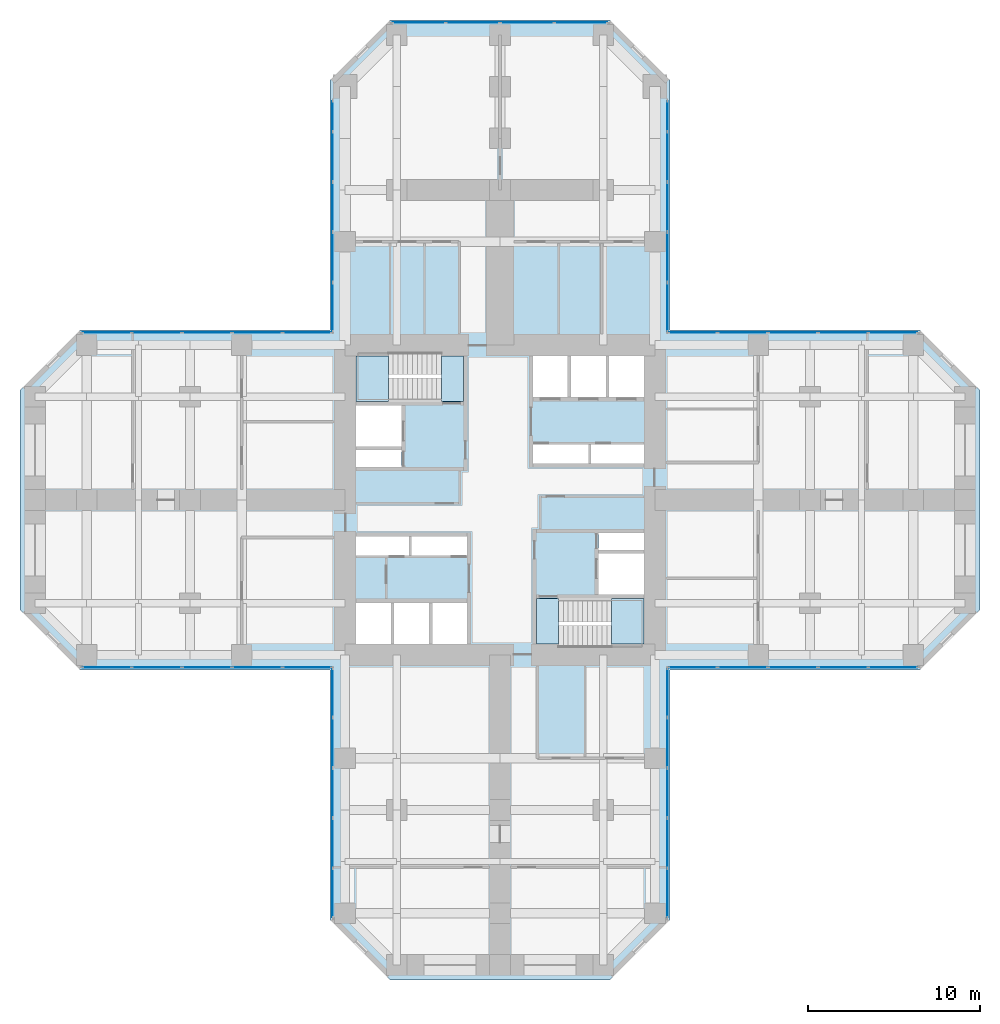
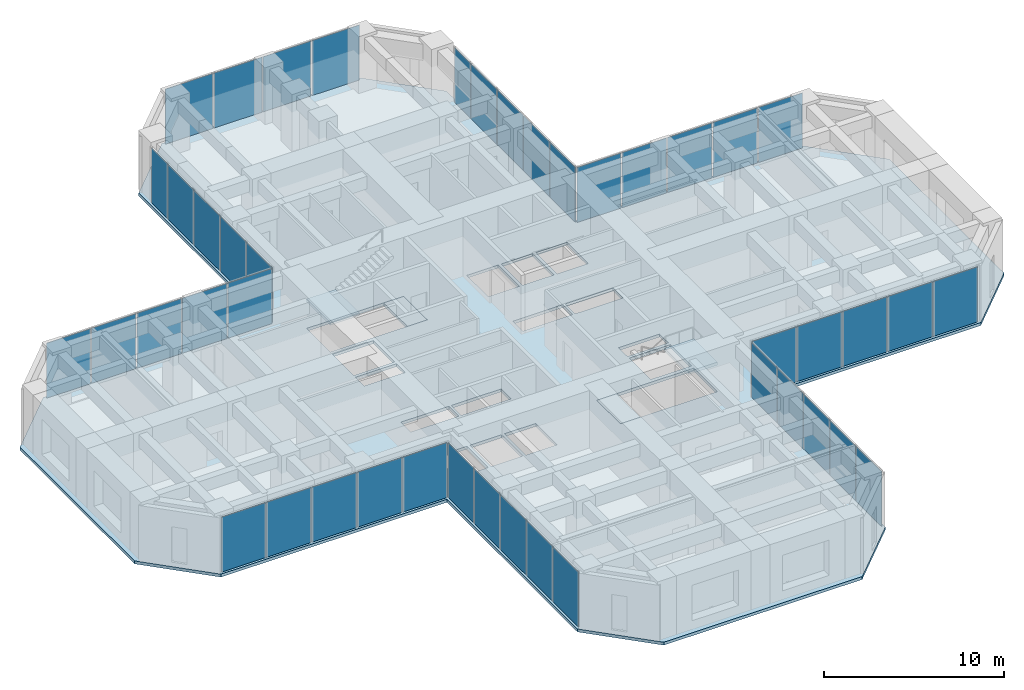
# One storey, part 7 of 12: 44 plates, 5 slabs, 11 elements without a shape of their own.
"""IFC4 building model written with IfcOpenShell, lengths in metres."""

import ifcopenshell
import ifcopenshell.guid

model = None  # the IFC model being written
_history = None  # IfcOwnerHistory: only IFC2X3 demands one
_inside = {}  # id of a spatial element -> (the spatial element, [elements in it])
_under = {}  # id of a project, library or spatial element -> (it, [spatial elements below it])
_declared = {}  # id of a project -> (the project, [libraries it declares])
_typed = {}  # id of a type object -> (the type object, [elements of that type])
_made_of = {}  # id of a material, layer set ... -> (it, [elements and type objects made of it])


def new_model(schema):
    """Start an empty IFC model of exactly this schema.

    Asked for "IFC4X3", IfcOpenShell would pick the latest addendum, in which some entities
    have other attributes; the version numbers below select the first issue.
    IFC2X3 requires an IfcOwnerHistory on every rooted entity: one is made here for all.
    """
    global model, _history
    if schema == "IFC4X3":
        model = ifcopenshell.file(schema_version=(4, 3, 0, 0))
    else:
        model = ifcopenshell.file(schema=schema)
    _inside.clear()
    _under.clear()
    _declared.clear()
    _typed.clear()
    _made_of.clear()
    _history = None
    if model.schema == "IFC2X3":
        org = make("IfcOrganization", Name="unknown")
        user = make(
            "IfcPersonAndOrganization",
            ThePerson=make("IfcPerson", FamilyName="unknown"),
            TheOrganization=org,
        )
        app = make(
            "IfcApplication",
            ApplicationDeveloper=org,
            Version="unknown",
            ApplicationFullName="unknown",
            ApplicationIdentifier="unknown",
        )
        _history = make(
            "IfcOwnerHistory",
            OwningUser=user,
            OwningApplication=app,
            ChangeAction="ADDED",
            CreationDate=0,
        )
    return model


def make(cls, **values):
    """One entity of the class cls with the attributes given. An attribute that is None is left unset."""
    return model.create_entity(
        cls, **{name: value for name, value in values.items() if value is not None}
    )


def rooted(cls, **values):
    """An entity with a GlobalId (a new one), such as an element, a storey or a relation."""
    return make(cls, GlobalId=ifcopenshell.guid.new(), OwnerHistory=_history, **values)


def si_unit(unit_type, name, prefix=None):
    """IfcSIUnit, for example si_unit("LENGTHUNIT", "METRE", prefix="MILLI")."""
    return make("IfcSIUnit", UnitType=unit_type, Prefix=prefix, Name=name)


def assignment(units):
    """IfcUnitAssignment: the units of a project."""
    return None if units is None else make("IfcUnitAssignment", Units=units)


def point(xyz):
    """IfcCartesianPoint."""
    return None if xyz is None else make("IfcCartesianPoint", Coordinates=xyz)


def direction(xyz):
    """IfcDirection."""
    return None if xyz is None else make("IfcDirection", DirectionRatios=xyz)


def frame(location, z_axis=None, x_axis=None):
    """IfcAxis2Placement3D, a coordinate frame: its origin and axes. An axis left out is left unset."""
    return make(
        "IfcAxis2Placement3D",
        Location=point(location),
        Axis=direction(z_axis),
        RefDirection=direction(x_axis),
    )


def frame_2d(location, x_axis=None):
    """IfcAxis2Placement2D, a coordinate frame in the plane: its origin and x axis."""
    return make(
        "IfcAxis2Placement2D", Location=point(location), RefDirection=direction(x_axis)
    )


def origin():
    """The frame at (0, 0, 0) with its axes left unset."""
    return frame((0.0, 0.0, 0.0))


def origin_2d():
    """The frame at (0, 0) in the plane with its x axis left unset."""
    return frame_2d((0.0, 0.0))


def place(relative_to, where):
    """IfcLocalPlacement: puts the frame where relative to a parent placement (None: the world)."""
    return make(
        "IfcLocalPlacement", PlacementRelTo=relative_to, RelativePlacement=where
    )


def context(
    kind, dimensions, precision=None, world=None, true_north=None, identifier=None
):
    """IfcGeometricRepresentationContext, for example the 3D "Model" context."""
    return make(
        "IfcGeometricRepresentationContext",
        ContextIdentifier=identifier,
        ContextType=kind,
        CoordinateSpaceDimension=dimensions,
        Precision=precision,
        WorldCoordinateSystem=world,
        TrueNorth=true_north,
    )


def subcontext(parent, identifier, kind, view, scale=None):
    """IfcGeometricRepresentationSubContext, for example "Body" below "Model"."""
    return make(
        "IfcGeometricRepresentationSubContext",
        ContextIdentifier=identifier,
        ContextType=kind,
        ParentContext=parent,
        TargetScale=scale,
        TargetView=view,
    )


def project(units=None, contexts=None):
    """IfcProject with its units and contexts."""
    return rooted(
        "IfcProject",
        Name="project",
        RepresentationContexts=contexts,
        UnitsInContext=assignment(units),
    )


def spatial(cls, under=None, at=None, **own):
    """A site, building, storey or space (cls), placed at a placement, below another one or the project."""
    s = rooted(cls, ObjectPlacement=at, **own)
    if under is not None:
        _under.setdefault(under.id(), (under, []))[1].append(s)
    return s


def polyline(points):
    """IfcPolyline through the points."""
    return make("IfcPolyline", Points=[point(p) for p in points])


def profile(cls, at=None, kind="AREA", **sizes):
    """A parametric profile (cls). Its sizes go by their IFC names, for example OverallWidth=200.0."""
    return make(cls, ProfileType=kind, Position=at, **sizes)


def rectangle(**sizes):
    """IfcRectangleProfileDef."""
    return profile("IfcRectangleProfileDef", **sizes)


def outline(outer, holes=None, kind="AREA"):
    """IfcArbitraryClosedProfileDef: a profile drawn as a closed curve; with holes, ...WithVoids."""
    if holes is None:
        return make("IfcArbitraryClosedProfileDef", ProfileType=kind, OuterCurve=outer)
    return make(
        "IfcArbitraryProfileDefWithVoids",
        ProfileType=kind,
        OuterCurve=outer,
        InnerCurves=holes,
    )


def extrude(swept, where, along, depth):
    """IfcExtrudedAreaSolid: the profile swept, set in the frame where, extruded along a direction by depth."""
    return make(
        "IfcExtrudedAreaSolid",
        SweptArea=swept,
        Position=where,
        ExtrudedDirection=direction(along),
        Depth=depth,
    )


def shape(context_of_items, identifier, shape_type, items):
    """IfcShapeRepresentation: the items that make up one representation, for example the "Body"."""
    return make(
        "IfcShapeRepresentation",
        ContextOfItems=context_of_items,
        RepresentationIdentifier=identifier,
        RepresentationType=shape_type,
        Items=items,
    )


def material(Name=None, Category=None):
    """IfcMaterial."""
    return make("IfcMaterial", Name=Name, Category=Category)


def layer(
    of_material, thickness, ventilated=None, Name=None, Category=None, Priority=None
):
    """IfcMaterialLayer: one layer of a wall or slab, of a material (None: an air gap)."""
    return make(
        "IfcMaterialLayer",
        Material=of_material,
        LayerThickness=thickness,
        IsVentilated=ventilated,
        Name=Name,
        Category=Category,
        Priority=Priority,
    )


def layer_set(layers, Name=None):
    """IfcMaterialLayerSet."""
    return make("IfcMaterialLayerSet", MaterialLayers=layers, LayerSetName=Name)


def made_of(thing, what):
    """Note that an element or type object is made of a material, layer set ...; save() writes the relation."""
    if what is not None:
        _made_of.setdefault(what.id(), (what, []))[1].append(thing)
    return thing


def type_object(cls, material=None, **own):
    """A type object (cls), such as IfcWallType, which elements share."""
    return made_of(rooted(cls, **own), material)


def element(
    cls,
    number,
    at=None,
    inside=None,
    cuts=None,
    type_object=None,
    material=None,
    context=None,
    identifier="Body",
    shape_type=None,
    held_by="IfcProductDefinitionShape",
    body=None,
    shapes=None,
    **own,
):
    """One element of the class cls, such as IfcWall. Its Tag is "e" and its number.

    at: its placement. inside: the storey or other place that contains it. cuts: it is an
    opening in that element (IfcRelVoidsElement). A single representation is given by context,
    identifier, shape_type and body (its items); several are given by shapes. held_by: the class
    of the entity that holds the representations. save() writes the other relations.
    """
    e = rooted(cls, Tag="e%d" % number, ObjectPlacement=at, **own)
    if body is not None:
        shapes = [shape(context, identifier, shape_type, body)]
    if shapes is not None:
        e.Representation = make(held_by, Representations=shapes)
    if inside is not None:
        _inside.setdefault(inside.id(), (inside, []))[1].append(e)
    if cuts is not None:
        rooted(
            "IfcRelVoidsElement", RelatingBuildingElement=cuts, RelatedOpeningElement=e
        )
    if type_object is not None:
        _typed.setdefault(type_object.id(), (type_object, []))[1].append(e)
    return made_of(e, material)


def aggregate(whole, parts):
    """IfcRelAggregates: a whole, such as a stair, and the parts it consists of."""
    return rooted("IfcRelAggregates", RelatingObject=whole, RelatedObjects=parts)


def save(model, path):
    """Write the relations noted so far, then the file.

    IfcRelAggregates (storeys below a building ...), IfcRelContainedInSpatialStructure (elements
    in a storey), IfcRelDefinesByType, IfcRelAssociatesMaterial and IfcRelDeclares: one each for
    every whole, place, type object, material and project.
    """
    for whole, parts in _under.values():
        aggregate(whole, parts)
    for where, things in _inside.values():
        rooted(
            "IfcRelContainedInSpatialStructure",
            RelatedElements=things,
            RelatingStructure=where,
        )
    for kind, things in _typed.values():
        rooted("IfcRelDefinesByType", RelatedObjects=things, RelatingType=kind)
    for what, things in _made_of.values():
        rooted("IfcRelAssociatesMaterial", RelatedObjects=things, RelatingMaterial=what)
    for by, libraries in _declared.values():
        rooted("IfcRelDeclares", RelatingContext=by, RelatedDefinitions=libraries)
    model.write(path)


model = new_model("IFC4")

# Units and contexts
model_context = context("Model", 3, precision=1e-05, world=origin(), true_north=direction((0.0, 1.0)))
body_context = subcontext(model_context, "Body", "Model", "MODEL_VIEW")
ifc_project = project(units=[si_unit("LENGTHUNIT", "METRE"), si_unit("AREAUNIT", "SQUARE_METRE"), si_unit("VOLUMEUNIT", "CUBIC_METRE"), si_unit("PLANEANGLEUNIT", "RADIAN"), si_unit("MASSUNIT", "GRAM", prefix="KILO")], contexts=[model_context])

# Site, building, storey
site_placement = place(None, origin())
site = spatial("IfcSite", under=ifc_project, at=site_placement, CompositionType="ELEMENT")
building_placement = place(site_placement, origin())
building = spatial("IfcBuilding", under=site, at=building_placement, Name="Torre Cruceta", CompositionType="ELEMENT")
storey_placement = place(building_placement, frame((0.0, 0.0, 83.5)))
storey = spatial("IfcBuildingStorey", under=building, at=storey_placement, Name="L20", CompositionType="ELEMENT", Elevation=83.5)

# Curtain wall, plate
ifc_material_1 = material(Name="Aluminium unitised curtain wall", Category="aluminium")
curtain_wall_type = type_object("IfcCurtainWallType", Name="CURTAIN WALL CW-A OFFICE LOW RISE", PredefinedType="USERDEFINED", material=ifc_material_1)
curtain_wall_1_placement = place(storey_placement, origin())
curtain_wall_1 = element("IfcCurtainWall", 1, at=curtain_wall_1_placement, inside=storey, type_object=curtain_wall_type, Name="CW-A L20 E side 00", ObjectType="UNITISED", PredefinedType="USERDEFINED")
ifc_material_2 = material(Name="Laminated insulating glass unit, diagonal frit 50 %", Category="glass")
ifc_material_3 = material(Name="Laminated insulating glass unit, diagonal frit 50 %", Category="glass")
ifc_layer_1 = layer(ifc_material_3, 0.033935546875)
ifc_layer_set_1 = layer_set([ifc_layer_1], Name="Laminated insulating glass unit, diagonal frit 50 %")
plate_type_1 = type_object("IfcPlateType", Name="CW-A OPERABLE VENT PANEL 34", PredefinedType="CURTAIN_PANEL", material=ifc_layer_set_1)
plate_1_placement = place(storey_placement, frame((17.009033203125, -9.719970703125, 0.010009765625), z_axis=(0.0, 0.0, 1.0), x_axis=(1.0, 0.0, 0.0)))
plate_1 = element("IfcPlate", 2, at=plate_1_placement, type_object=plate_type_1, material=ifc_material_2, Name="CW-A vent 3", PredefinedType="CURTAIN_PANEL", context=body_context, shape_type="SweptSolid", body=[
    extrude(rectangle(XDim=2.8505859375, YDim=0.033935546875, at=origin_2d()), origin(), (0.0, 0.0, 1.0), 3.72509765625),
])

curtain_wall_2_placement = place(storey_placement, origin())
curtain_wall_2 = element("IfcCurtainWall", 3, at=curtain_wall_2_placement, inside=storey, type_object=curtain_wall_type, Name="CW-A L20 E side 04", ObjectType="UNITISED", PredefinedType="USERDEFINED")
plate_2_placement = place(storey_placement, frame((17.009033203125, 9.719970703125, 0.010009765625), z_axis=(0.0, 0.0, 1.0), x_axis=(-1.0, 0.0, 0.0)))
plate_2 = element("IfcPlate", 4, at=plate_2_placement, type_object=plate_type_1, material=ifc_material_2, Name="CW-A vent 3", PredefinedType="CURTAIN_PANEL", context=body_context, shape_type="SweptSolid", body=[
    extrude(rectangle(XDim=2.8505859375, YDim=0.033935546875, at=origin_2d()), origin(), (0.0, 0.0, 1.0), 3.72509765625),
])

curtain_wall_3_placement = place(storey_placement, origin())
curtain_wall_3 = element("IfcCurtainWall", 5, at=curtain_wall_3_placement, inside=storey, type_object=curtain_wall_type, Name="CW-A L20 N side 05", ObjectType="UNITISED", PredefinedType="USERDEFINED")
plate_3_placement = place(storey_placement, frame((9.719970703125, 17.009033203125, 0.010009765625), z_axis=(0.0, 0.0, 1.0), x_axis=(0.0, 1.0, 0.0)))
plate_3 = element("IfcPlate", 6, at=plate_3_placement, type_object=plate_type_1, material=ifc_material_2, Name="CW-A vent 3", PredefinedType="CURTAIN_PANEL", context=body_context, shape_type="SweptSolid", body=[
    extrude(rectangle(XDim=2.8505859375, YDim=0.033935546875, at=origin_2d()), origin(), (0.0, 0.0, 1.0), 3.72509765625),
])

curtain_wall_4_placement = place(storey_placement, origin())
curtain_wall_4 = element("IfcCurtainWall", 7, at=curtain_wall_4_placement, inside=storey, type_object=curtain_wall_type, Name="CW-A L20 N tip 07", ObjectType="UNITISED", PredefinedType="USERDEFINED")
plate_4_placement = place(storey_placement, frame((-1.574462890625, 27.719970703125, 0.010009765625), z_axis=(0.0, 0.0, 1.0), x_axis=(-1.0, 0.0, 0.0)))
plate_4 = element("IfcPlate", 8, at=plate_4_placement, type_object=plate_type_1, material=ifc_material_2, Name="CW-A vent 3", PredefinedType="CURTAIN_PANEL", context=body_context, shape_type="SweptSolid", body=[
    extrude(rectangle(XDim=3.084228515625, YDim=0.033935546875, at=origin_2d()), origin(), (0.0, 0.0, 1.0), 3.72509765625),
])

curtain_wall_5_placement = place(storey_placement, origin())
curtain_wall_5 = element("IfcCurtainWall", 9, at=curtain_wall_5_placement, inside=storey, type_object=curtain_wall_type, Name="CW-A L20 N side 09", ObjectType="UNITISED", PredefinedType="USERDEFINED")
plate_5_placement = place(storey_placement, frame((-9.719970703125, 17.009033203125, 0.010009765625), z_axis=(0.0, 0.0, 1.0), x_axis=(0.0, -1.0, 0.0)))
plate_5 = element("IfcPlate", 10, at=plate_5_placement, type_object=plate_type_1, material=ifc_material_2, Name="CW-A vent 3", PredefinedType="CURTAIN_PANEL", context=body_context, shape_type="SweptSolid", body=[
    extrude(rectangle(XDim=2.8505859375, YDim=0.033935546875, at=origin_2d()), origin(), (0.0, 0.0, 1.0), 3.72509765625),
])

curtain_wall_6_placement = place(storey_placement, origin())
curtain_wall_6 = element("IfcCurtainWall", 11, at=curtain_wall_6_placement, inside=storey, type_object=curtain_wall_type, Name="CW-A L20 W side 10", ObjectType="UNITISED", PredefinedType="USERDEFINED")
plate_6_placement = place(storey_placement, frame((-17.009033203125, 9.719970703125, 0.010009765625), z_axis=(0.0, 0.0, 1.0), x_axis=(-1.0, 0.0, 0.0)))
plate_6 = element("IfcPlate", 12, at=plate_6_placement, type_object=plate_type_1, material=ifc_material_2, Name="CW-A vent 3", PredefinedType="CURTAIN_PANEL", context=body_context, shape_type="SweptSolid", body=[
    extrude(rectangle(XDim=2.8505859375, YDim=0.033935546875, at=origin_2d()), origin(), (0.0, 0.0, 1.0), 3.72509765625),
])

curtain_wall_7_placement = place(storey_placement, origin())
curtain_wall_7 = element("IfcCurtainWall", 13, at=curtain_wall_7_placement, inside=storey, type_object=curtain_wall_type, Name="CW-A L20 W side 14", ObjectType="UNITISED", PredefinedType="USERDEFINED")
plate_7_placement = place(storey_placement, frame((-17.009033203125, -9.719970703125, 0.010009765625), z_axis=(0.0, 0.0, 1.0), x_axis=(1.0, 0.0, 0.0)))
plate_7 = element("IfcPlate", 14, at=plate_7_placement, type_object=plate_type_1, material=ifc_material_2, Name="CW-A vent 3", PredefinedType="CURTAIN_PANEL", context=body_context, shape_type="SweptSolid", body=[
    extrude(rectangle(XDim=2.8505859375, YDim=0.033935546875, at=origin_2d()), origin(), (0.0, 0.0, 1.0), 3.72509765625),
])

curtain_wall_8_placement = place(storey_placement, origin())
curtain_wall_8 = element("IfcCurtainWall", 15, at=curtain_wall_8_placement, inside=storey, type_object=curtain_wall_type, Name="CW-A L20 S side 15", ObjectType="UNITISED", PredefinedType="USERDEFINED")
plate_8_placement = place(storey_placement, frame((-9.719970703125, -17.009033203125, 0.010009765625), z_axis=(0.0, 0.0, 1.0), x_axis=(0.0, -1.0, 0.0)))
plate_8 = element("IfcPlate", 16, at=plate_8_placement, type_object=plate_type_1, material=ifc_material_2, Name="CW-A vent 3", PredefinedType="CURTAIN_PANEL", context=body_context, shape_type="SweptSolid", body=[
    extrude(rectangle(XDim=2.8505859375, YDim=0.033935546875, at=origin_2d()), origin(), (0.0, 0.0, 1.0), 3.72509765625),
])

curtain_wall_9_placement = place(storey_placement, origin())
curtain_wall_9 = element("IfcCurtainWall", 17, at=curtain_wall_9_placement, inside=storey, type_object=curtain_wall_type, Name="CW-A L20 S side 19", ObjectType="UNITISED", PredefinedType="USERDEFINED")
plate_9_placement = place(storey_placement, frame((9.719970703125, -17.009033203125, 0.010009765625), z_axis=(0.0, 0.0, 1.0), x_axis=(0.0, 1.0, 0.0)))
plate_9 = element("IfcPlate", 18, at=plate_9_placement, type_object=plate_type_1, material=ifc_material_2, Name="CW-A vent 3", PredefinedType="CURTAIN_PANEL", context=body_context, shape_type="SweptSolid", body=[
    extrude(rectangle(XDim=2.8505859375, YDim=0.033935546875, at=origin_2d()), origin(), (0.0, 0.0, 1.0), 3.72509765625),
])

# Plate
ifc_material_4 = material(Name="Laminated insulating glass unit, diagonal frit 50 %", Category="glass")
ifc_layer_2 = layer(ifc_material_4, 0.033935546875)
ifc_layer_set_2 = layer_set([ifc_layer_2], Name="Laminated insulating glass unit, diagonal frit 50 %")
plate_type_2 = type_object("IfcPlateType", Name="CW-A PANEL 34", PredefinedType="CURTAIN_PANEL", material=ifc_layer_set_2)
plate_10_placement = place(storey_placement, frame((11.194091796875, -9.719970703125, 0.010009765625), z_axis=(0.0, 0.0, 1.0), x_axis=(1.0, 0.0, 0.0)))
plate_10 = element("IfcPlate", 19, at=plate_10_placement, type_object=plate_type_2, material=ifc_material_2, Name="CW-A panel 1", PredefinedType="CURTAIN_PANEL", context=body_context, shape_type="SweptSolid", body=[
    extrude(rectangle(XDim=2.818115234375, YDim=0.033935546875, at=origin_2d()), origin(), (0.0, 0.0, 1.0), 3.72509765625),
])

plate_11_placement = place(storey_placement, frame((14.093505859375, -9.719970703125, 0.010009765625), z_axis=(0.0, 0.0, 1.0), x_axis=(1.0, 0.0, 0.0)))
plate_11 = element("IfcPlate", 20, at=plate_11_placement, type_object=plate_type_2, material=ifc_material_2, Name="CW-A panel 2", PredefinedType="CURTAIN_PANEL", context=body_context, shape_type="SweptSolid", body=[
    extrude(rectangle(XDim=2.8505859375, YDim=0.033935546875, at=origin_2d()), origin(), (0.0, 0.0, 1.0), 3.72509765625),
])

plate_12_placement = place(storey_placement, frame((19.9248046875, -9.719970703125, 0.010009765625), z_axis=(0.0, 0.0, 1.0), x_axis=(1.0, 0.0, 0.0)))
plate_12 = element("IfcPlate", 21, at=plate_12_placement, type_object=plate_type_2, material=ifc_material_2, Name="CW-A panel 4", PredefinedType="CURTAIN_PANEL", context=body_context, shape_type="SweptSolid", body=[
    extrude(rectangle(XDim=2.8505859375, YDim=0.033935546875, at=origin_2d()), origin(), (0.0, 0.0, 1.0), 3.72509765625),
])

ifc_material_5 = material(Name="Laminated insulating glass unit, low-iron clear", Category="glass")
plate_13_placement = place(storey_placement, frame((22.82421875, -9.719970703125, 0.010009765625), z_axis=(0.0, 0.0, 1.0), x_axis=(1.0, 0.0, 0.0)))
plate_13 = element("IfcPlate", 22, at=plate_13_placement, type_object=plate_type_2, material=ifc_material_5, Name="CW-A panel 5", PredefinedType="CURTAIN_PANEL", context=body_context, shape_type="SweptSolid", body=[
    extrude(rectangle(XDim=2.818115234375, YDim=0.033935546875, at=origin_2d()), origin(), (0.0, 0.0, 1.0), 3.72509765625),
])

aggregate(curtain_wall_1, [plate_10, plate_11, plate_1, plate_12, plate_13])

plate_14_placement = place(storey_placement, frame((22.82421875, 9.719970703125, 0.010009765625), z_axis=(0.0, 0.0, 1.0), x_axis=(-1.0, 0.0, 0.0)))
plate_14 = element("IfcPlate", 23, at=plate_14_placement, type_object=plate_type_2, material=ifc_material_2, Name="CW-A panel 1", PredefinedType="CURTAIN_PANEL", context=body_context, shape_type="SweptSolid", body=[
    extrude(rectangle(XDim=2.818115234375, YDim=0.033935546875, at=origin_2d()), origin(), (0.0, 0.0, 1.0), 3.72509765625),
])

plate_15_placement = place(storey_placement, frame((19.9248046875, 9.719970703125, 0.010009765625), z_axis=(0.0, 0.0, 1.0), x_axis=(-1.0, 0.0, 0.0)))
plate_15 = element("IfcPlate", 24, at=plate_15_placement, type_object=plate_type_2, material=ifc_material_2, Name="CW-A panel 2", PredefinedType="CURTAIN_PANEL", context=body_context, shape_type="SweptSolid", body=[
    extrude(rectangle(XDim=2.8505859375, YDim=0.033935546875, at=origin_2d()), origin(), (0.0, 0.0, 1.0), 3.72509765625),
])

plate_16_placement = place(storey_placement, frame((14.093505859375, 9.719970703125, 0.010009765625), z_axis=(0.0, 0.0, 1.0), x_axis=(-1.0, 0.0, 0.0)))
plate_16 = element("IfcPlate", 25, at=plate_16_placement, type_object=plate_type_2, material=ifc_material_2, Name="CW-A panel 4", PredefinedType="CURTAIN_PANEL", context=body_context, shape_type="SweptSolid", body=[
    extrude(rectangle(XDim=2.8505859375, YDim=0.033935546875, at=origin_2d()), origin(), (0.0, 0.0, 1.0), 3.72509765625),
])

plate_17_placement = place(storey_placement, frame((11.194091796875, 9.719970703125, 0.010009765625), z_axis=(0.0, 0.0, 1.0), x_axis=(-1.0, 0.0, 0.0)))
plate_17 = element("IfcPlate", 26, at=plate_17_placement, type_object=plate_type_2, material=ifc_material_5, Name="CW-A panel 5", PredefinedType="CURTAIN_PANEL", context=body_context, shape_type="SweptSolid", body=[
    extrude(rectangle(XDim=2.818115234375, YDim=0.033935546875, at=origin_2d()), origin(), (0.0, 0.0, 1.0), 3.72509765625),
])

aggregate(curtain_wall_2, [plate_14, plate_15, plate_2, plate_16, plate_17])

plate_18_placement = place(storey_placement, frame((9.719970703125, 11.194091796875, 0.010009765625), z_axis=(0.0, 0.0, 1.0), x_axis=(0.0, 1.0, 0.0)))
plate_18 = element("IfcPlate", 27, at=plate_18_placement, type_object=plate_type_2, material=ifc_material_2, Name="CW-A panel 1", PredefinedType="CURTAIN_PANEL", context=body_context, shape_type="SweptSolid", body=[
    extrude(rectangle(XDim=2.818115234375, YDim=0.033935546875, at=origin_2d()), origin(), (0.0, 0.0, 1.0), 3.72509765625),
])

plate_19_placement = place(storey_placement, frame((9.719970703125, 14.093505859375, 0.010009765625), z_axis=(0.0, 0.0, 1.0), x_axis=(0.0, 1.0, 0.0)))
plate_19 = element("IfcPlate", 28, at=plate_19_placement, type_object=plate_type_2, material=ifc_material_2, Name="CW-A panel 2", PredefinedType="CURTAIN_PANEL", context=body_context, shape_type="SweptSolid", body=[
    extrude(rectangle(XDim=2.8505859375, YDim=0.033935546875, at=origin_2d()), origin(), (0.0, 0.0, 1.0), 3.72509765625),
])

plate_20_placement = place(storey_placement, frame((9.719970703125, 19.9248046875, 0.010009765625), z_axis=(0.0, 0.0, 1.0), x_axis=(0.0, 1.0, 0.0)))
plate_20 = element("IfcPlate", 29, at=plate_20_placement, type_object=plate_type_2, material=ifc_material_2, Name="CW-A panel 4", PredefinedType="CURTAIN_PANEL", context=body_context, shape_type="SweptSolid", body=[
    extrude(rectangle(XDim=2.8505859375, YDim=0.033935546875, at=origin_2d()), origin(), (0.0, 0.0, 1.0), 3.72509765625),
])

plate_21_placement = place(storey_placement, frame((9.719970703125, 22.290771484375, 0.010009765625), z_axis=(0.0, 0.0, 1.0), x_axis=(0.0, 1.0, 0.0)))
plate_21 = element("IfcPlate", 30, at=plate_21_placement, type_object=plate_type_2, material=ifc_material_5, Name="CW-A panel 5", PredefinedType="CURTAIN_PANEL", context=body_context, shape_type="SweptSolid", body=[
    extrude(rectangle(XDim=1.75146484375, YDim=0.033935546875, at=origin_2d()), origin(), (0.0, 0.0, 1.0), 3.72509765625),
])

aggregate(curtain_wall_3, [plate_18, plate_19, plate_3, plate_20, plate_21])

plate_22_placement = place(storey_placement, frame((4.70751953125, 27.719970703125, 0.010009765625), z_axis=(0.0, 0.0, 1.0), x_axis=(-1.0, 0.0, 0.0)))
plate_22 = element("IfcPlate", 31, at=plate_22_placement, type_object=plate_type_2, material=ifc_material_2, Name="CW-A panel 1", PredefinedType="CURTAIN_PANEL", context=body_context, shape_type="SweptSolid", body=[
    extrude(rectangle(XDim=3.051513671875, YDim=0.033935546875, at=origin_2d()), origin(), (0.0, 0.0, 1.0), 3.72509765625),
])

plate_23_placement = place(storey_placement, frame((1.574462890625, 27.719970703125, 0.010009765625), z_axis=(0.0, 0.0, 1.0), x_axis=(-1.0, 0.0, 0.0)))
plate_23 = element("IfcPlate", 32, at=plate_23_placement, type_object=plate_type_2, material=ifc_material_2, Name="CW-A panel 2", PredefinedType="CURTAIN_PANEL", context=body_context, shape_type="SweptSolid", body=[
    extrude(rectangle(XDim=3.084228515625, YDim=0.033935546875, at=origin_2d()), origin(), (0.0, 0.0, 1.0), 3.72509765625),
])

plate_24_placement = place(storey_placement, frame((-4.70751953125, 27.719970703125, 0.010009765625), z_axis=(0.0, 0.0, 1.0), x_axis=(-1.0, 0.0, 0.0)))
plate_24 = element("IfcPlate", 33, at=plate_24_placement, type_object=plate_type_2, material=ifc_material_2, Name="CW-A panel 4", PredefinedType="CURTAIN_PANEL", context=body_context, shape_type="SweptSolid", body=[
    extrude(rectangle(XDim=3.051513671875, YDim=0.033935546875, at=origin_2d()), origin(), (0.0, 0.0, 1.0), 3.72509765625),
])

aggregate(curtain_wall_4, [plate_22, plate_23, plate_4, plate_24])

plate_25_placement = place(storey_placement, frame((-9.719970703125, 22.290771484375, 0.010009765625), z_axis=(0.0, 0.0, 1.0), x_axis=(0.0, -1.0, 0.0)))
plate_25 = element("IfcPlate", 34, at=plate_25_placement, type_object=plate_type_2, material=ifc_material_2, Name="CW-A panel 1", PredefinedType="CURTAIN_PANEL", context=body_context, shape_type="SweptSolid", body=[
    extrude(rectangle(XDim=1.75146484375, YDim=0.033935546875, at=origin_2d()), origin(), (0.0, 0.0, 1.0), 3.72509765625),
])

plate_26_placement = place(storey_placement, frame((-9.719970703125, 19.9248046875, 0.010009765625), z_axis=(0.0, 0.0, 1.0), x_axis=(0.0, -1.0, 0.0)))
plate_26 = element("IfcPlate", 35, at=plate_26_placement, type_object=plate_type_2, material=ifc_material_2, Name="CW-A panel 2", PredefinedType="CURTAIN_PANEL", context=body_context, shape_type="SweptSolid", body=[
    extrude(rectangle(XDim=2.8505859375, YDim=0.033935546875, at=origin_2d()), origin(), (0.0, 0.0, 1.0), 3.72509765625),
])

plate_27_placement = place(storey_placement, frame((-9.719970703125, 14.093505859375, 0.010009765625), z_axis=(0.0, 0.0, 1.0), x_axis=(0.0, -1.0, 0.0)))
plate_27 = element("IfcPlate", 36, at=plate_27_placement, type_object=plate_type_2, material=ifc_material_2, Name="CW-A panel 4", PredefinedType="CURTAIN_PANEL", context=body_context, shape_type="SweptSolid", body=[
    extrude(rectangle(XDim=2.8505859375, YDim=0.033935546875, at=origin_2d()), origin(), (0.0, 0.0, 1.0), 3.72509765625),
])

plate_28_placement = place(storey_placement, frame((-9.719970703125, 11.194091796875, 0.010009765625), z_axis=(0.0, 0.0, 1.0), x_axis=(0.0, -1.0, 0.0)))
plate_28 = element("IfcPlate", 37, at=plate_28_placement, type_object=plate_type_2, material=ifc_material_5, Name="CW-A panel 5", PredefinedType="CURTAIN_PANEL", context=body_context, shape_type="SweptSolid", body=[
    extrude(rectangle(XDim=2.818115234375, YDim=0.033935546875, at=origin_2d()), origin(), (0.0, 0.0, 1.0), 3.72509765625),
])

aggregate(curtain_wall_5, [plate_25, plate_26, plate_5, plate_27, plate_28])

plate_29_placement = place(storey_placement, frame((-11.194091796875, 9.719970703125, 0.010009765625), z_axis=(0.0, 0.0, 1.0), x_axis=(-1.0, 0.0, 0.0)))
plate_29 = element("IfcPlate", 38, at=plate_29_placement, type_object=plate_type_2, material=ifc_material_2, Name="CW-A panel 1", PredefinedType="CURTAIN_PANEL", context=body_context, shape_type="SweptSolid", body=[
    extrude(rectangle(XDim=2.818115234375, YDim=0.033935546875, at=origin_2d()), origin(), (0.0, 0.0, 1.0), 3.72509765625),
])

plate_30_placement = place(storey_placement, frame((-14.093505859375, 9.719970703125, 0.010009765625), z_axis=(0.0, 0.0, 1.0), x_axis=(-1.0, 0.0, 0.0)))
plate_30 = element("IfcPlate", 39, at=plate_30_placement, type_object=plate_type_2, material=ifc_material_2, Name="CW-A panel 2", PredefinedType="CURTAIN_PANEL", context=body_context, shape_type="SweptSolid", body=[
    extrude(rectangle(XDim=2.8505859375, YDim=0.033935546875, at=origin_2d()), origin(), (0.0, 0.0, 1.0), 3.72509765625),
])

plate_31_placement = place(storey_placement, frame((-19.9248046875, 9.719970703125, 0.010009765625), z_axis=(0.0, 0.0, 1.0), x_axis=(-1.0, 0.0, 0.0)))
plate_31 = element("IfcPlate", 40, at=plate_31_placement, type_object=plate_type_2, material=ifc_material_2, Name="CW-A panel 4", PredefinedType="CURTAIN_PANEL", context=body_context, shape_type="SweptSolid", body=[
    extrude(rectangle(XDim=2.8505859375, YDim=0.033935546875, at=origin_2d()), origin(), (0.0, 0.0, 1.0), 3.72509765625),
])

plate_32_placement = place(storey_placement, frame((-22.82421875, 9.719970703125, 0.010009765625), z_axis=(0.0, 0.0, 1.0), x_axis=(-1.0, 0.0, 0.0)))
plate_32 = element("IfcPlate", 41, at=plate_32_placement, type_object=plate_type_2, material=ifc_material_5, Name="CW-A panel 5", PredefinedType="CURTAIN_PANEL", context=body_context, shape_type="SweptSolid", body=[
    extrude(rectangle(XDim=2.818115234375, YDim=0.033935546875, at=origin_2d()), origin(), (0.0, 0.0, 1.0), 3.72509765625),
])

aggregate(curtain_wall_6, [plate_29, plate_30, plate_6, plate_31, plate_32])

plate_33_placement = place(storey_placement, frame((-22.82421875, -9.719970703125, 0.010009765625), z_axis=(0.0, 0.0, 1.0), x_axis=(1.0, 0.0, 0.0)))
plate_33 = element("IfcPlate", 42, at=plate_33_placement, type_object=plate_type_2, material=ifc_material_2, Name="CW-A panel 1", PredefinedType="CURTAIN_PANEL", context=body_context, shape_type="SweptSolid", body=[
    extrude(rectangle(XDim=2.818115234375, YDim=0.033935546875, at=origin_2d()), origin(), (0.0, 0.0, 1.0), 3.72509765625),
])

plate_34_placement = place(storey_placement, frame((-19.9248046875, -9.719970703125, 0.010009765625), z_axis=(0.0, 0.0, 1.0), x_axis=(1.0, 0.0, 0.0)))
plate_34 = element("IfcPlate", 43, at=plate_34_placement, type_object=plate_type_2, material=ifc_material_2, Name="CW-A panel 2", PredefinedType="CURTAIN_PANEL", context=body_context, shape_type="SweptSolid", body=[
    extrude(rectangle(XDim=2.8505859375, YDim=0.033935546875, at=origin_2d()), origin(), (0.0, 0.0, 1.0), 3.72509765625),
])

plate_35_placement = place(storey_placement, frame((-14.093505859375, -9.719970703125, 0.010009765625), z_axis=(0.0, 0.0, 1.0), x_axis=(1.0, 0.0, 0.0)))
plate_35 = element("IfcPlate", 44, at=plate_35_placement, type_object=plate_type_2, material=ifc_material_2, Name="CW-A panel 4", PredefinedType="CURTAIN_PANEL", context=body_context, shape_type="SweptSolid", body=[
    extrude(rectangle(XDim=2.8505859375, YDim=0.033935546875, at=origin_2d()), origin(), (0.0, 0.0, 1.0), 3.72509765625),
])

plate_36_placement = place(storey_placement, frame((-11.194091796875, -9.719970703125, 0.010009765625), z_axis=(0.0, 0.0, 1.0), x_axis=(1.0, 0.0, 0.0)))
plate_36 = element("IfcPlate", 45, at=plate_36_placement, type_object=plate_type_2, material=ifc_material_5, Name="CW-A panel 5", PredefinedType="CURTAIN_PANEL", context=body_context, shape_type="SweptSolid", body=[
    extrude(rectangle(XDim=2.818115234375, YDim=0.033935546875, at=origin_2d()), origin(), (0.0, 0.0, 1.0), 3.72509765625),
])

aggregate(curtain_wall_7, [plate_33, plate_34, plate_7, plate_35, plate_36])

plate_37_placement = place(storey_placement, frame((-9.719970703125, -11.194091796875, 0.010009765625), z_axis=(0.0, 0.0, 1.0), x_axis=(0.0, -1.0, 0.0)))
plate_37 = element("IfcPlate", 46, at=plate_37_placement, type_object=plate_type_2, material=ifc_material_2, Name="CW-A panel 1", PredefinedType="CURTAIN_PANEL", context=body_context, shape_type="SweptSolid", body=[
    extrude(rectangle(XDim=2.818115234375, YDim=0.033935546875, at=origin_2d()), origin(), (0.0, 0.0, 1.0), 3.72509765625),
])

plate_38_placement = place(storey_placement, frame((-9.719970703125, -14.093505859375, 0.010009765625), z_axis=(0.0, 0.0, 1.0), x_axis=(0.0, -1.0, 0.0)))
plate_38 = element("IfcPlate", 47, at=plate_38_placement, type_object=plate_type_2, material=ifc_material_2, Name="CW-A panel 2", PredefinedType="CURTAIN_PANEL", context=body_context, shape_type="SweptSolid", body=[
    extrude(rectangle(XDim=2.8505859375, YDim=0.033935546875, at=origin_2d()), origin(), (0.0, 0.0, 1.0), 3.72509765625),
])

plate_39_placement = place(storey_placement, frame((-9.719970703125, -19.9248046875, 0.010009765625), z_axis=(0.0, 0.0, 1.0), x_axis=(0.0, -1.0, 0.0)))
plate_39 = element("IfcPlate", 48, at=plate_39_placement, type_object=plate_type_2, material=ifc_material_2, Name="CW-A panel 4", PredefinedType="CURTAIN_PANEL", context=body_context, shape_type="SweptSolid", body=[
    extrude(rectangle(XDim=2.8505859375, YDim=0.033935546875, at=origin_2d()), origin(), (0.0, 0.0, 1.0), 3.72509765625),
])

plate_40_placement = place(storey_placement, frame((-9.719970703125, -22.82421875, 0.010009765625), z_axis=(0.0, 0.0, 1.0), x_axis=(0.0, -1.0, 0.0)))
plate_40 = element("IfcPlate", 49, at=plate_40_placement, type_object=plate_type_2, material=ifc_material_5, Name="CW-A panel 5", PredefinedType="CURTAIN_PANEL", context=body_context, shape_type="SweptSolid", body=[
    extrude(rectangle(XDim=2.818115234375, YDim=0.033935546875, at=origin_2d()), origin(), (0.0, 0.0, 1.0), 3.72509765625),
])

aggregate(curtain_wall_8, [plate_37, plate_38, plate_8, plate_39, plate_40])

plate_41_placement = place(storey_placement, frame((9.719970703125, -22.82421875, 0.010009765625), z_axis=(0.0, 0.0, 1.0), x_axis=(0.0, 1.0, 0.0)))
plate_41 = element("IfcPlate", 50, at=plate_41_placement, type_object=plate_type_2, material=ifc_material_2, Name="CW-A panel 1", PredefinedType="CURTAIN_PANEL", context=body_context, shape_type="SweptSolid", body=[
    extrude(rectangle(XDim=2.818115234375, YDim=0.033935546875, at=origin_2d()), origin(), (0.0, 0.0, 1.0), 3.72509765625),
])

plate_42_placement = place(storey_placement, frame((9.719970703125, -19.9248046875, 0.010009765625), z_axis=(0.0, 0.0, 1.0), x_axis=(0.0, 1.0, 0.0)))
plate_42 = element("IfcPlate", 51, at=plate_42_placement, type_object=plate_type_2, material=ifc_material_2, Name="CW-A panel 2", PredefinedType="CURTAIN_PANEL", context=body_context, shape_type="SweptSolid", body=[
    extrude(rectangle(XDim=2.8505859375, YDim=0.033935546875, at=origin_2d()), origin(), (0.0, 0.0, 1.0), 3.72509765625),
])

plate_43_placement = place(storey_placement, frame((9.719970703125, -14.093505859375, 0.010009765625), z_axis=(0.0, 0.0, 1.0), x_axis=(0.0, 1.0, 0.0)))
plate_43 = element("IfcPlate", 52, at=plate_43_placement, type_object=plate_type_2, material=ifc_material_2, Name="CW-A panel 4", PredefinedType="CURTAIN_PANEL", context=body_context, shape_type="SweptSolid", body=[
    extrude(rectangle(XDim=2.8505859375, YDim=0.033935546875, at=origin_2d()), origin(), (0.0, 0.0, 1.0), 3.72509765625),
])

plate_44_placement = place(storey_placement, frame((9.719970703125, -11.194091796875, 0.010009765625), z_axis=(0.0, 0.0, 1.0), x_axis=(0.0, 1.0, 0.0)))
plate_44 = element("IfcPlate", 53, at=plate_44_placement, type_object=plate_type_2, material=ifc_material_5, Name="CW-A panel 5", PredefinedType="CURTAIN_PANEL", context=body_context, shape_type="SweptSolid", body=[
    extrude(rectangle(XDim=2.818115234375, YDim=0.033935546875, at=origin_2d()), origin(), (0.0, 0.0, 1.0), 3.72509765625),
])

aggregate(curtain_wall_9, [plate_41, plate_42, plate_9, plate_43, plate_44])

# Slab
ifc_material_6 = material(Name="Concrete G35 (fck 35 MPa)", Category="concrete")
ifc_layer_3 = layer(ifc_material_6, 0.199951171875)
ifc_layer_set_3 = layer_set([ifc_layer_3], Name="Concrete G35 (fck 35 MPa)")
slab_type_1 = type_object("IfcSlabType", Name="FLOOR SLAB 200", PredefinedType="FLOOR", material=ifc_layer_set_3)
slab_1_placement = place(storey_placement, frame((0.0, 0.0, -0.199951171875)))
element("IfcSlab", 54, at=slab_1_placement, inside=storey, type_object=slab_type_1, Name="Floor Slab L20", PredefinedType="FLOOR", context=body_context, shape_type="SweptSolid", body=[
    extrude(outline(polyline([(9.8701171875, -9.8701171875), (9.8701171875, -24.3603515625), (6.3603515625, -27.8701171875), (-6.3603515625, -27.8701171875), (-9.8701171875, -24.3603515625), (-9.8701171875, -9.8701171875), (-24.3603515625, -9.8701171875), (-27.8701171875, -6.3603515625), (-27.8701171875, 6.3603515625), (-24.3603515625, 9.8701171875), (-9.8701171875, 9.8701171875), (-9.8701171875, 24.3603515625), (-6.3603515625, 27.8701171875), (6.3603515625, 27.8701171875), (9.8701171875, 24.3603515625), (9.8701171875, 9.8701171875), (24.3603515625, 9.8701171875), (27.8701171875, 6.3603515625), (27.8701171875, -6.3603515625), (24.3603515625, -9.8701171875), (9.8701171875, -9.8701171875)]), holes=[polyline([(1.925048828125, 5.97509765625), (3.933349609375, 5.97509765625), (3.933349609375, 8.35009765625), (1.925048828125, 8.35009765625), (1.925048828125, 5.97509765625)]), polyline([(4.13330078125, 5.97509765625), (6.1416015625, 5.97509765625), (6.1416015625, 8.35009765625), (4.13330078125, 8.35009765625), (4.13330078125, 5.97509765625)]), polyline([(6.341552734375, 5.97509765625), (8.35009765625, 5.97509765625), (8.35009765625, 8.35009765625), (6.341552734375, 8.35009765625), (6.341552734375, 5.97509765625)]), polyline([(1.925048828125, 2.125), (5.125, 2.125), (5.125, 3.22509765625), (1.925048828125, 3.22509765625), (1.925048828125, 2.125)]), polyline([(5.27490234375, 2.125), (8.35009765625, 2.125), (8.35009765625, 3.22509765625), (5.27490234375, 3.22509765625), (5.27490234375, 2.125)]), polyline([(-8.35009765625, 3.10009765625), (-5.72509765625, 3.10009765625), (-5.72509765625, 5.47509765625), (-8.35009765625, 5.47509765625), (-8.35009765625, 3.10009765625)]), polyline([(-8.35009765625, 1.925048828125), (-5.72509765625, 1.925048828125), (-5.72509765625, 2.89990234375), (-8.35009765625, 2.89990234375), (-8.35009765625, 1.925048828125)]), polyline([(-3.933349609375, -8.35009765625), (-1.925048828125, -8.35009765625), (-1.925048828125, -5.97509765625), (-3.933349609375, -5.97509765625), (-3.933349609375, -8.35009765625)]), polyline([(-6.1416015625, -8.35009765625), (-4.13330078125, -8.35009765625), (-4.13330078125, -5.97509765625), (-6.1416015625, -5.97509765625), (-6.1416015625, -8.35009765625)]), polyline([(-8.35009765625, -8.35009765625), (-6.341552734375, -8.35009765625), (-6.341552734375, -5.97509765625), (-8.35009765625, -5.97509765625), (-8.35009765625, -8.35009765625)]), polyline([(-5.125, -3.22509765625), (-1.925048828125, -3.22509765625), (-1.925048828125, -2.125), (-5.125, -2.125), (-5.125, -3.22509765625)]), polyline([(-8.35009765625, -3.22509765625), (-5.27490234375, -3.22509765625), (-5.27490234375, -2.125), (-8.35009765625, -2.125), (-8.35009765625, -3.22509765625)]), polyline([(5.72509765625, -5.47509765625), (8.35009765625, -5.47509765625), (8.35009765625, -3.10009765625), (5.72509765625, -3.10009765625), (5.72509765625, -5.47509765625)]), polyline([(5.72509765625, -2.89990234375), (8.35009765625, -2.89990234375), (8.35009765625, -1.925048828125), (5.72509765625, -1.925048828125), (5.72509765625, -2.89990234375)]), polyline([(-8.35009765625, 5.72509765625), (-8.35009765625, 8.35009765625), (-3.39990234375, 8.35009765625), (-2.125, 8.35009765625), (-2.125, 5.72509765625), (-3.39990234375, 5.72509765625), (-8.35009765625, 5.72509765625)]), polyline([(2.125, -5.72509765625), (3.39990234375, -5.72509765625), (8.35009765625, -5.72509765625), (8.35009765625, -8.35009765625), (3.39990234375, -8.35009765625), (2.125, -8.35009765625), (2.125, -5.72509765625)])]), origin(), (0.0, 0.0, 1.0), 0.199951171875),
])

# Stair, slab
ifc_material_7 = material(Name="Concrete G30 (fck 30 MPa)", Category="concrete")
stair_type = type_object("IfcStairType", Name="STAIR HALF-TURN 1300", PredefinedType="HALF_TURN_STAIR", material=ifc_material_7)
stair_1_placement = place(storey_placement, origin())
stair_1 = element("IfcStair", 55, at=stair_1_placement, inside=storey, type_object=stair_type, Name="Stair ST1 L20", PredefinedType="HALF_TURN_STAIR")
ifc_material_8 = material(Name="Concrete G30 (fck 30 MPa)", Category="concrete")
ifc_layer_4 = layer(ifc_material_8, 0.199951171875)
ifc_layer_set_4 = layer_set([ifc_layer_4], Name="Concrete G30 (fck 30 MPa)")
slab_type_2 = type_object("IfcSlabType", Name="STAIR LANDING 200", PredefinedType="LANDING", material=ifc_layer_set_4)
slab_2_placement = place(storey_placement, frame((0.0, 0.0, 1.800048828125)))
slab_2 = element("IfcSlab", 56, at=slab_2_placement, type_object=slab_type_2, Name="ST1 landing 1", PredefinedType="LANDING", context=body_context, shape_type="SweptSolid", body=[
    extrude(outline(polyline([(-8.35009765625, 5.72509765625), (-6.47998046875, 5.72509765625), (-6.47998046875, 8.35009765625), (-8.35009765625, 8.35009765625), (-8.35009765625, 5.72509765625)])), origin(), (0.0, 0.0, 1.0), 0.199951171875),
])
aggregate(stair_1, [slab_2])

stair_2_placement = place(storey_placement, origin())
stair_2 = element("IfcStair", 57, at=stair_2_placement, inside=storey, type_object=stair_type, Name="Stair ST2 L20", PredefinedType="HALF_TURN_STAIR")
slab_3_placement = place(storey_placement, frame((0.0, 0.0, 1.800048828125)))
slab_3 = element("IfcSlab", 58, at=slab_3_placement, type_object=slab_type_2, Name="ST2 landing 1", PredefinedType="LANDING", context=body_context, shape_type="SweptSolid", body=[
    extrude(outline(polyline([(6.47998046875, -8.35009765625), (8.35009765625, -8.35009765625), (8.35009765625, -5.72509765625), (6.47998046875, -5.72509765625), (6.47998046875, -8.35009765625)])), origin(), (0.0, 0.0, 1.0), 0.199951171875),
])
aggregate(stair_2, [slab_3])

# Slabs
slab_4_placement = place(storey_placement, frame((0.0, 0.0, -0.199951171875)))
element("IfcSlab", 59, at=slab_4_placement, inside=storey, type_object=slab_type_2, Name="Stair ST1 floor landing L20", PredefinedType="LANDING", context=body_context, shape_type="SweptSolid", body=[
    extrude(outline(polyline([(-2.125, 8.35009765625), (-2.125, 5.72509765625), (-3.39990234375, 5.72509765625), (-3.39990234375, 8.35009765625), (-2.125, 8.35009765625)])), origin(), (0.0, 0.0, 1.0), 0.199951171875),
])
slab_5_placement = place(storey_placement, frame((0.0, 0.0, -0.199951171875)))
element("IfcSlab", 60, at=slab_5_placement, inside=storey, type_object=slab_type_2, Name="Stair ST2 floor landing L20", PredefinedType="LANDING", context=body_context, shape_type="SweptSolid", body=[
    extrude(outline(polyline([(2.125, -8.35009765625), (2.125, -5.72509765625), (3.39990234375, -5.72509765625), (3.39990234375, -8.35009765625), (2.125, -8.35009765625)])), origin(), (0.0, 0.0, 1.0), 0.199951171875),
])

save(model, "model.ifc")
